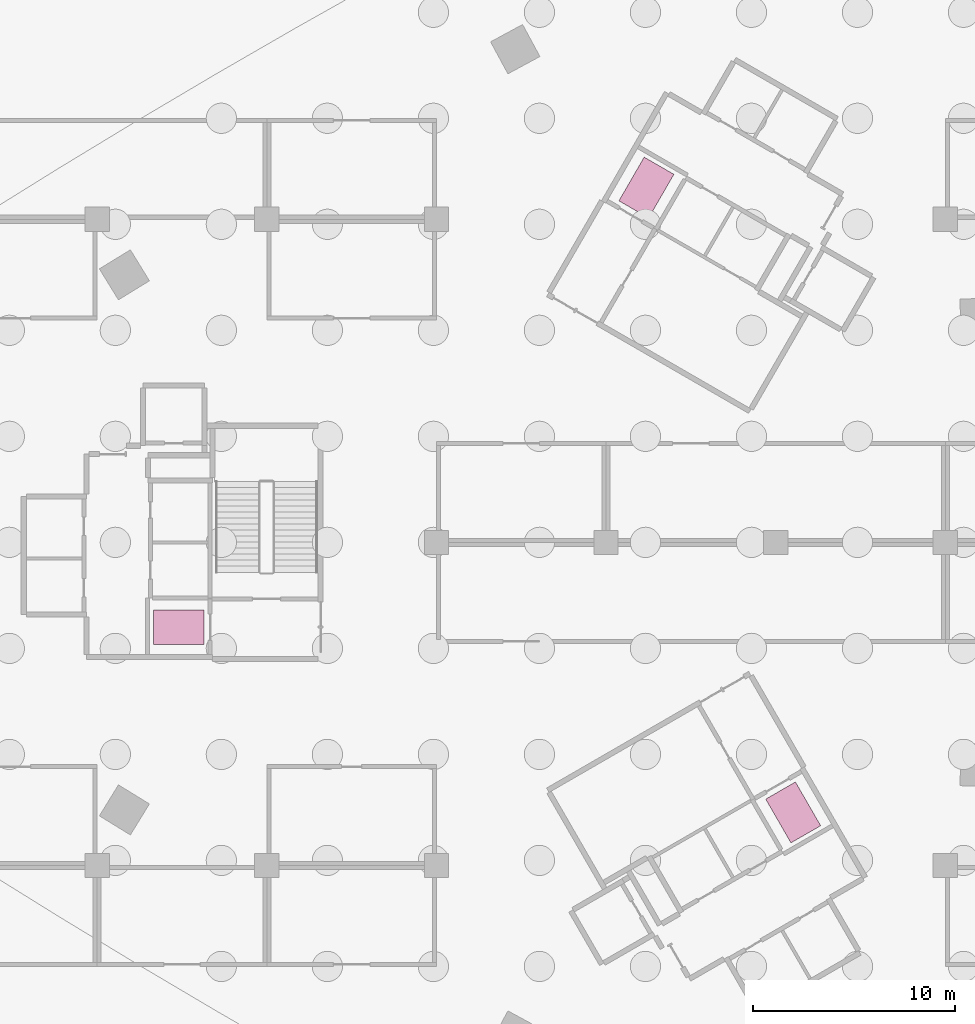
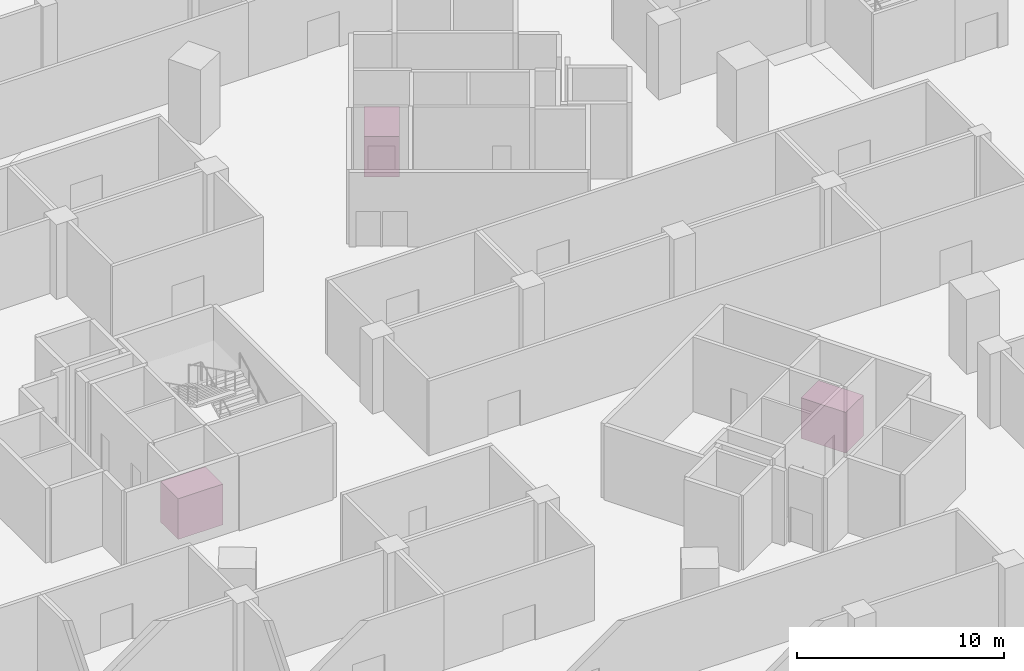
# One storey, part 46 of 46: 3 transport elements.
"""IFC4 building model written with IfcOpenShell, lengths in metres."""

from ifc_helpers import new_model, si_unit, direction, frame, origin, origin_2d, place, context, subcontext, project, spatial, rectangle, extrude, material, type_object, element, save


model = new_model("IFC4")

# Units and contexts
model_context = context("Model", 3, precision=1e-05, world=origin(), true_north=direction((0.0, 1.0)))
body_context = subcontext(model_context, "Body", "Model", "MODEL_VIEW")
ifc_project = project(units=[si_unit("LENGTHUNIT", "METRE"), si_unit("AREAUNIT", "SQUARE_METRE"), si_unit("VOLUMEUNIT", "CUBIC_METRE"), si_unit("PLANEANGLEUNIT", "RADIAN"), si_unit("MASSUNIT", "GRAM", prefix="KILO")], contexts=[model_context])

# Site, building, storey
site_placement = place(None, origin())
site = spatial("IfcSite", under=ifc_project, at=site_placement, CompositionType="ELEMENT")
building_placement = place(site_placement, origin())
building = spatial("IfcBuilding", under=site, at=building_placement, Name="Tamra Quay Hotel Tower", CompositionType="ELEMENT")
storey_placement = place(building_placement, frame((0.0, 0.0, -12.0)))
storey = spatial("IfcBuildingStorey", under=building, at=storey_placement, Name="B3", CompositionType="ELEMENT", Elevation=-12.0)

# Transport elements
ifc_material = material(Name="Fire-fighting lift FIRE 1000 kg")
transport_element_type = type_object("IfcTransportElementType", Name="Fire-fighting lift FIRE 1000 kg", PredefinedType="ELEVATOR", material=ifc_material)
for number, where, z_axis, x_axis, name in (
    (1, (-17.86376953125, -4.1962890625, 0.0), (0.0, 0.0, 1.0), (0.0, 1.0, 0.0), "Lift FF-W"),
    (2, (5.297607421875, 17.56884765625, 0.0), (0.0, 0.0, 1.0), (0.866025403784, -0.5, 0.0), "Lift FF-NE"),
    (3, (12.566162109375, -13.372314453125, 0.0), (0.0, 0.0, 1.0), (-0.866025403784, -0.5, 0.0), "Lift FF-SE"),
):
    element("IfcTransportElement", number, at=place(storey_placement, frame(where, z_axis=z_axis, x_axis=x_axis)), inside=storey, type_object=transport_element_type, Name=name, PredefinedType="ELEVATOR", context=body_context, shape_type="SweptSolid", body=[
        extrude(rectangle(XDim=1.699951171875, YDim=2.5, at=origin_2d()), origin(), (0.0, 0.0, 1.0), 2.39990234375),
    ])

save(model, "model.ifc")
